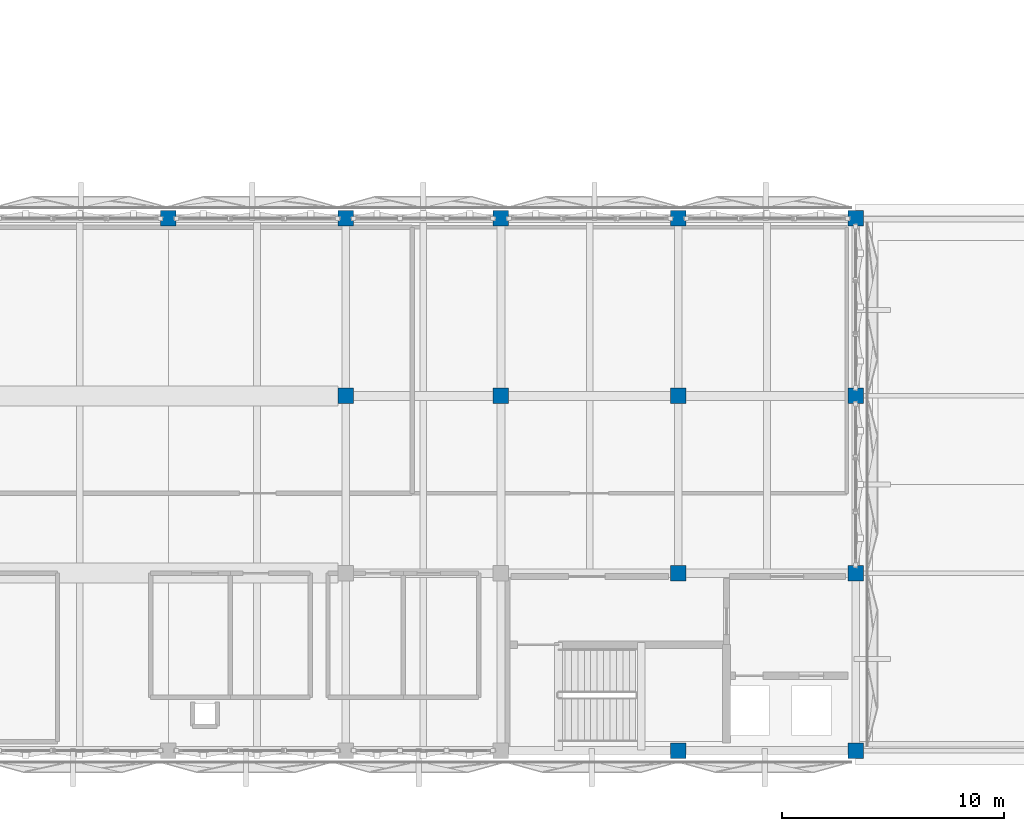
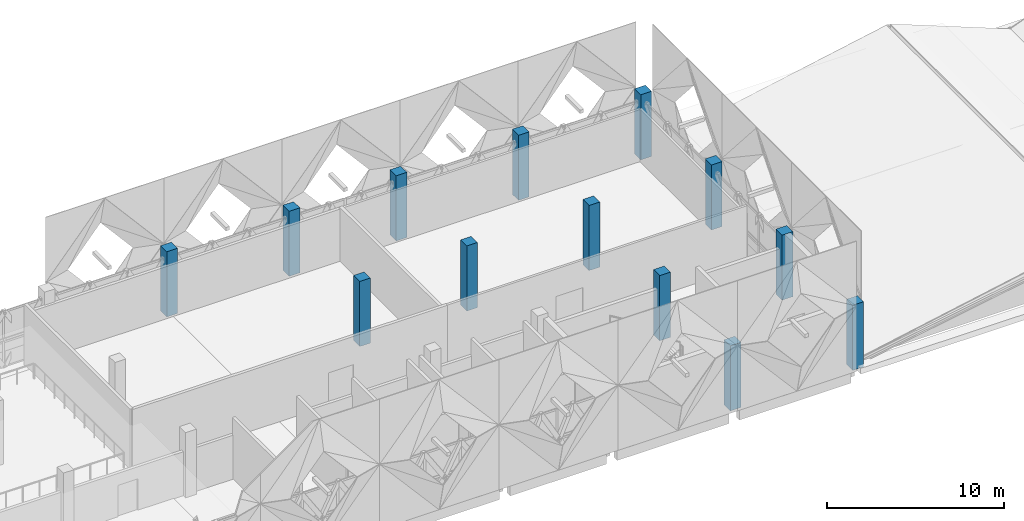
# One storey, part 2 of 37: 13 columns.
"""IFC4 building model written with IfcOpenShell, lengths in metres."""

from ifc_helpers import new_model, si_unit, direction, frame, origin, origin_2d, place, context, subcontext, project, spatial, rectangle, extrude, material, material_profile, profile_set, type_object, element, save


model = new_model("IFC4")

# Units and contexts
model_context = context("Model", 3, precision=1e-05, world=origin(), true_north=direction((0.0, 1.0)))
body_context = subcontext(model_context, "Body", "Model", "MODEL_VIEW")
ifc_project = project(units=[si_unit("LENGTHUNIT", "METRE"), si_unit("AREAUNIT", "SQUARE_METRE"), si_unit("VOLUMEUNIT", "CUBIC_METRE"), si_unit("PLANEANGLEUNIT", "RADIAN"), si_unit("MASSUNIT", "GRAM", prefix="KILO")], contexts=[model_context])

# Site, building, storey
site_placement = place(None, origin())
site = spatial("IfcSite", under=ifc_project, at=site_placement, CompositionType="ELEMENT")
building_placement = place(site_placement, origin())
building = spatial("IfcBuilding", under=site, at=building_placement, Name="Qorikala Patio Media Centre", CompositionType="ELEMENT")
storey_placement = place(building_placement, frame((0.0, 0.0, 14.39990234375)))
storey = spatial("IfcBuildingStorey", under=building, at=storey_placement, Name="L03", CompositionType="ELEMENT", Elevation=14.39990234375)

# Columns
ifc_material = material(Name="Concrete C35/45", Category="concrete")
ifc_material_profile_1 = material_profile(ifc_material, rectangle(XDim=0.699951171875, YDim=0.699951171875, at=origin_2d()), Name="RC 700x700")
ifc_profile_set_1 = profile_set([ifc_material_profile_1], Name="Concrete C35/45")
column_type_1 = type_object("IfcColumnType", Name="RC-COL-700-EXT", PredefinedType="COLUMN", material=ifc_profile_set_1)
for number, where, z_axis, x_axis, name in (
    (1, (67.0, 27.0, 0.0), (0.0, 0.0, 1.0), (1.0, 0.0, 0.0), "L03 Column (67,27)"),
    (2, (75.0, 27.0, 0.0), (0.0, 0.0, 1.0), (1.0, 0.0, 0.0), "L03 Column (75,27)"),
    (3, (82.0, 27.0, 0.0), (0.0, 0.0, 1.0), (1.0, 0.0, 0.0), "L03 Column (82,27)"),
    (4, (90.0, 3.0, 0.0), (0.0, 0.0, 1.0), (1.0, 0.0, 0.0), "L03 Column (90,3)"),
    (5, (90.0, 27.0, 0.0), (0.0, 0.0, 1.0), (1.0, 0.0, 0.0), "L03 Column (90,27)"),
    (6, (98.0, 3.0, 0.0), (0.0, 0.0, 1.0), (1.0, 0.0, 0.0), "L03 Column (98,3)"),
    (7, (98.0, 11.0, 0.0), (0.0, 0.0, 1.0), (1.0, 0.0, 0.0), "L03 Column (98,11)"),
    (8, (98.0, 19.0, 0.0), (0.0, 0.0, 1.0), (1.0, 0.0, 0.0), "L03 Column (98,19)"),
    (9, (98.0, 27.0, 0.0), (0.0, 0.0, 1.0), (1.0, 0.0, 0.0), "L03 Column (98,27)"),
):
    element("IfcColumn", number, at=place(storey_placement, frame(where, z_axis=z_axis, x_axis=x_axis)), inside=storey, type_object=column_type_1, Name=name, PredefinedType="COLUMN", context=body_context, shape_type="SweptSolid", body=[
        extrude(rectangle(XDim=0.699951171875, YDim=0.699951171875, at=origin_2d()), origin(), (0.0, 0.0, 1.0), 4.5),
    ])
ifc_material_profile_2 = material_profile(ifc_material, rectangle(XDim=0.699951171875, YDim=0.699951171875, at=origin_2d()), Name="RC 700x700")
ifc_profile_set_2 = profile_set([ifc_material_profile_2], Name="Concrete C35/45")
column_type_2 = type_object("IfcColumnType", Name="RC-COL-700-INT", PredefinedType="COLUMN", material=ifc_profile_set_2)
for number, where, z_axis, x_axis, name in (
    (10, (75.0, 19.0, 0.0), (0.0, 0.0, 1.0), (1.0, 0.0, 0.0), "L03 Column (75,19)"),
    (11, (82.0, 19.0, 0.0), (0.0, 0.0, 1.0), (1.0, 0.0, 0.0), "L03 Column (82,19)"),
    (12, (90.0, 11.0, 0.0), (0.0, 0.0, 1.0), (1.0, 0.0, 0.0), "L03 Column (90,11)"),
    (13, (90.0, 19.0, 0.0), (0.0, 0.0, 1.0), (1.0, 0.0, 0.0), "L03 Column (90,19)"),
):
    element("IfcColumn", number, at=place(storey_placement, frame(where, z_axis=z_axis, x_axis=x_axis)), inside=storey, type_object=column_type_2, Name=name, PredefinedType="COLUMN", context=body_context, shape_type="SweptSolid", body=[
        extrude(rectangle(XDim=0.699951171875, YDim=0.699951171875, at=origin_2d()), origin(), (0.0, 0.0, 1.0), 4.5),
    ])

save(model, "model.ifc")
